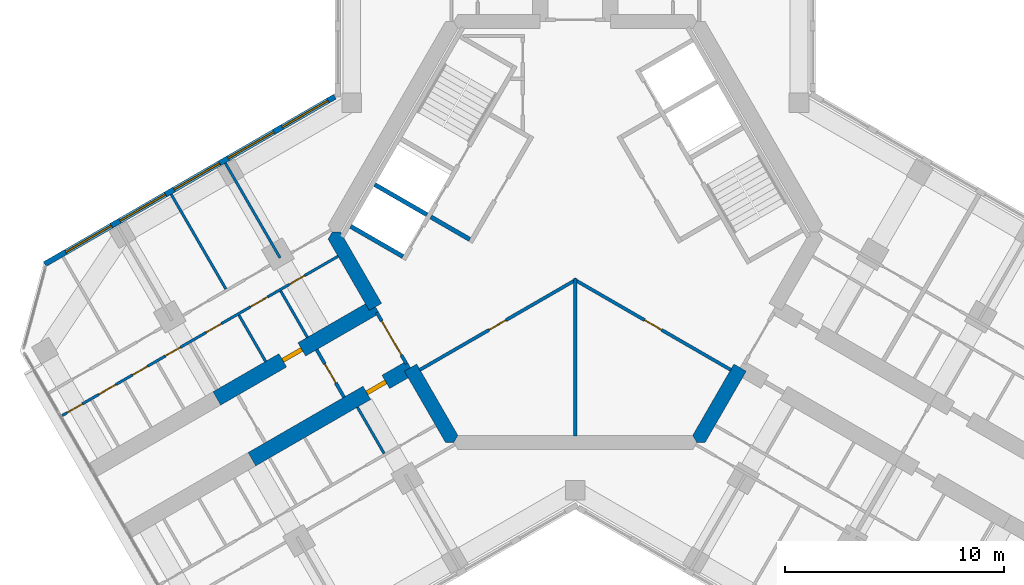
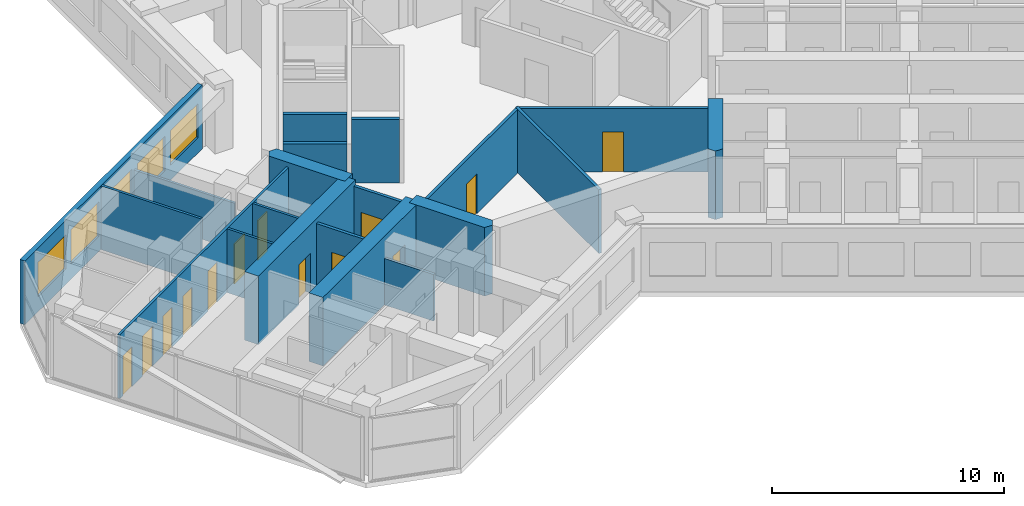
# One storey, part 9 of 16: 20 walls, 13 doors, 5 windows, 18 openings.
"""IFC4 building model written with IfcOpenShell, lengths in metres."""

from ifc_helpers import new_model, si_unit, direction, frame, frame_2d, origin, place, context, subcontext, project, spatial, polyline, rectangle, outline, extrude, material, layer, layer_set, type_object, element, fill, save


model = new_model("IFC4")

# Units and contexts
model_context = context("Model", 3, precision=1e-05, world=origin(), true_north=direction((0.0, 1.0)))
body_context = subcontext(model_context, "Body", "Model", "MODEL_VIEW")
ifc_project = project(units=[si_unit("LENGTHUNIT", "METRE"), si_unit("AREAUNIT", "SQUARE_METRE"), si_unit("VOLUMEUNIT", "CUBIC_METRE"), si_unit("PLANEANGLEUNIT", "RADIAN"), si_unit("MASSUNIT", "GRAM", prefix="KILO")], contexts=[model_context])

# Site, building, storey
site_placement = place(None, origin())
site = spatial("IfcSite", under=ifc_project, at=site_placement, CompositionType="ELEMENT")
building_placement = place(site_placement, origin())
building = spatial("IfcBuilding", under=site, at=building_placement, Name="Kosmar Iwan School Tower", CompositionType="ELEMENT")
storey_placement = place(building_placement, frame((0.0, 0.0, 197.39990234375)))
storey = spatial("IfcBuildingStorey", under=building, at=storey_placement, Name="L49", CompositionType="ELEMENT", Elevation=197.39990234375)

# Wall
ifc_material_1 = material(Name="Gypsum board on steel studs, fire-rated", Category="steel")
ifc_layer_1 = layer(ifc_material_1, 0.14990234375)
ifc_layer_set_1 = layer_set([ifc_layer_1], Name="Core room partition 150")
wall_type_1 = type_object("IfcWallType", Name="Core room partition 150", PredefinedType="PARTITIONING", material=ifc_layer_set_1)
wall_1_placement = place(storey_placement, frame((0.0, -9.294921875, 0.0), z_axis=(0.0, 0.0, 1.0), x_axis=(0.0, 1.0, 0.0)))
element("IfcWall", 1, at=wall_1_placement, inside=storey, type_object=wall_type_1, Name="Core room partition L49-CW5", PredefinedType="PARTITIONING", context=body_context, shape_type="SweptSolid", body=[
    extrude(rectangle(XDim=7.176025390625, YDim=0.14990234375, at=frame_2d((3.587890625, 0.0))), origin(), (0.0, 0.0, 1.0), 3.35009765625),
])

# Wall, opening, door
wall_2_placement = place(storey_placement, frame((-0.06494140625, -2.156494140625, 0.0), z_axis=(0.0, 0.0, 1.0), x_axis=(0.866024394272, -0.500001748523, 0.0)))
wall_2 = element("IfcWall", 2, at=wall_2_placement, inside=storey, type_object=wall_type_1, Name="Core room partition L49-CW6", PredefinedType="PARTITIONING", context=body_context, shape_type="SweptSolid", body=[
    extrude(rectangle(XDim=8.27294921875, YDim=0.14990234375, at=frame_2d((4.136474609375, 0.0))), origin(), (0.0, 0.0, 1.0), 3.35009765625),
])
opening_1_placement = place(wall_2_placement, frame((3.721923828125, 0.0, 0.0)))
opening_1 = element("IfcOpeningElement", 3, at=opening_1_placement, cuts=wall_2, Name="Opening D14", PredefinedType="OPENING", context=body_context, shape_type="SweptSolid", body=[
    extrude(rectangle(XDim=0.89990234375, YDim=2.10009765625, at=frame_2d((0.449951171875, 1.050048828125))), frame((0.0, 0.0869140625, 0.0), z_axis=(0.0, -1.0, 0.0), x_axis=(1.0, 0.0, 0.0)), (0.0, 0.0, 1.0), 0.173828125),
])
ifc_material_2 = material(Name="Timber fire door in steel frame", Category="steel")
door_type_1 = type_object("IfcDoorType", Name="Core room door 900x2100", OperationType="SINGLE_SWING_LEFT", PredefinedType="DOOR", material=ifc_material_2)
door_1_placement = place(opening_1_placement, origin())
door_1 = element("IfcDoor", 4, at=door_1_placement, inside=storey, type_object=door_type_1, Name="Refuse and recycling room door L49 3", OperationType="SINGLE_SWING_RIGHT", OverallHeight=2.10009765625, OverallWidth=0.89990234375, PredefinedType="DOOR", context=body_context, shape_type="SweptSolid", body=[
    extrude(rectangle(XDim=0.89990234375, YDim=2.10009765625, at=frame_2d((0.449951171875, 1.050048828125))), frame((0.0, 0.02490234375, 0.0), z_axis=(0.0, -1.0, 0.0), x_axis=(1.0, 0.0, 0.0)), (0.0, 0.0, 1.0), 0.050048828125),
])
fill(opening_1, door_1)

wall_3_placement = place(storey_placement, frame((-7.099609375, -6.29296875, 0.0), z_axis=(0.0, 0.0, 1.0), x_axis=(0.866024394272, 0.500001748523, 0.0)))
wall_3 = element("IfcWall", 5, at=wall_3_placement, inside=storey, type_object=wall_type_1, Name="Core room partition L49-CW7", PredefinedType="PARTITIONING", context=body_context, shape_type="SweptSolid", body=[
    extrude(rectangle(XDim=8.27294921875, YDim=0.14990234375, at=frame_2d((4.136474609375, 0.0))), origin(), (0.0, 0.0, 1.0), 3.35009765625),
])
opening_2_placement = place(wall_3_placement, frame((3.652099609375, 0.0, 0.0)))
opening_2 = element("IfcOpeningElement", 6, at=opening_2_placement, cuts=wall_3, Name="Opening D14", PredefinedType="OPENING", context=body_context, shape_type="SweptSolid", body=[
    extrude(rectangle(XDim=0.89990234375, YDim=2.10009765625, at=frame_2d((0.449951171875, 1.050048828125))), frame((0.0, 0.0869140625, 0.0), z_axis=(0.0, -1.0, 0.0), x_axis=(1.0, 0.0, 0.0)), (0.0, 0.0, 1.0), 0.173828125),
])
door_2_placement = place(opening_2_placement, origin())
door_2 = element("IfcDoor", 7, at=door_2_placement, inside=storey, type_object=door_type_1, Name="Parcel room door L49 4", OperationType="SINGLE_SWING_LEFT", OverallHeight=2.10009765625, OverallWidth=0.89990234375, PredefinedType="DOOR", context=body_context, shape_type="SweptSolid", body=[
    extrude(rectangle(XDim=0.89990234375, YDim=2.10009765625, at=frame_2d((0.449951171875, 1.050048828125))), frame((0.0, 0.02490234375, 0.0), z_axis=(0.0, -1.0, 0.0), x_axis=(1.0, 0.0, 0.0)), (0.0, 0.0, 1.0), 0.050048828125),
])
fill(opening_2, door_2)

# Walls
ifc_material_3 = material(Name="Concrete C50/60", Category="concrete")
ifc_layer_2 = layer(ifc_material_3, 0.64990234375)
ifc_layer_set_2 = layer_set([ifc_layer_2], Name="Core wall 650")
wall_type_2 = type_object("IfcWallType", Name="Core wall 650", PredefinedType="SHEAR", material=ifc_layer_set_2)
wall_4_placement = place(storey_placement, origin())
element("IfcWall", 8, at=wall_4_placement, inside=storey, type_object=wall_type_2, Name="Core wall F210a", PredefinedType="SHEAR", context=body_context, shape_type="SweptSolid", body=[
    extrude(outline(polyline([(-9.395263671875, -3.576904296875), (-8.832275390625, -3.251953125), (-10.7099609375, 0.0), (-11.085205078125, 0.0), (-11.272705078125, -0.324951171875), (-9.395263671875, -3.576904296875)])), origin(), (0.0, 0.0, 1.0), 3.60009765625),
])
wall_5_placement = place(storey_placement, origin())
element("IfcWall", 9, at=wall_5_placement, inside=storey, type_object=wall_type_2, Name="Core wall F210b", PredefinedType="SHEAR", context=body_context, shape_type="SweptSolid", body=[
    extrude(outline(polyline([(-5.917724609375, -9.60009765625), (-5.54248046875, -9.60009765625), (-5.35498046875, -9.27490234375), (-7.232421875, -6.023193359375), (-7.79541015625, -6.34814453125), (-5.917724609375, -9.60009765625)])), origin(), (0.0, 0.0, 1.0), 3.60009765625),
])
wall_6_placement = place(storey_placement, origin())
element("IfcWall", 10, at=wall_6_placement, inside=storey, type_object=wall_type_2, Name="Core wall F330a", PredefinedType="SHEAR", context=body_context, shape_type="SweptSolid", body=[
    extrude(outline(polyline([(5.54248046875, -9.60009765625), (5.917724609375, -9.60009765625), (7.79541015625, -6.34814453125), (7.232421875, -6.023193359375), (5.35498046875, -9.27490234375), (5.54248046875, -9.60009765625)])), origin(), (0.0, 0.0, 1.0), 3.60009765625),
])

# Wall, opening, door
ifc_material_4 = material(Name="Concrete C50/60", Category="concrete")
ifc_layer_3 = layer(ifc_material_4, 0.699951171875)
ifc_layer_set_3 = layer_set([ifc_layer_3], Name="Corridor buttress wall 700")
wall_type_3 = type_object("IfcWallType", Name="Corridor buttress wall 700", PredefinedType="SHEAR", material=ifc_layer_set_3)
wall_7_placement = place(storey_placement, frame((-7.513916015625, -6.185546875, 0.0), z_axis=(0.0, 0.0, 1.0), x_axis=(-0.866019549707, -0.500010139422, 0.0)))
wall_7 = element("IfcWall", 11, at=wall_7_placement, inside=storey, type_object=wall_type_3, Name="Corridor wall BL", PredefinedType="SHEAR", context=body_context, shape_type="SweptSolid", body=[
    extrude(rectangle(XDim=8.349853515625, YDim=0.699951171875, at=frame_2d((4.1748046875, 0.0))), origin(), (0.0, 0.0, 1.0), 3.60009765625),
])
opening_3_placement = place(wall_7_placement, frame((1.300048828125, 0.0, 0.0)))
opening_3 = element("IfcOpeningElement", 12, at=opening_3_placement, cuts=wall_7, Name="Opening D1", PredefinedType="OPENING", context=body_context, shape_type="SweptSolid", body=[
    extrude(rectangle(XDim=1.0, YDim=2.10009765625, at=frame_2d((0.5, 1.050048828125))), frame((0.0, 0.362060546875, 0.0), z_axis=(0.0, -1.0, 0.0), x_axis=(1.0, 0.0, 0.0)), (0.0, 0.0, 1.0), 0.723876953125),
])
ifc_material_5 = material(Name="Timber fire door in steel frame", Category="steel")
door_type_2 = type_object("IfcDoorType", Name="Flat entrance door 1000x2100", OperationType="SINGLE_SWING_LEFT", PredefinedType="DOOR", material=ifc_material_5)
door_3_placement = place(opening_3_placement, origin())
door_3 = element("IfcDoor", 13, at=door_3_placement, inside=storey, type_object=door_type_2, Name="Flat L49-BL1 entrance door", OperationType="SINGLE_SWING_RIGHT", OverallHeight=2.10009765625, OverallWidth=1.0, PredefinedType="DOOR", context=body_context, shape_type="SweptSolid", body=[
    extrude(rectangle(XDim=1.0, YDim=2.10009765625, at=frame_2d((0.5, 1.050048828125))), frame((0.0, 0.10009765625, 0.0), z_axis=(0.0, -1.0, 0.0), x_axis=(1.0, 0.0, 0.0)), (0.0, 0.0, 1.0), 0.199951171875),
])
fill(opening_3, door_3)

wall_8_placement = place(storey_placement, frame((-9.11376953125, -3.414306640625, 0.0), z_axis=(0.0, 0.0, 1.0), x_axis=(-0.866026859388, -0.499997478812, 0.0)))
wall_8 = element("IfcWall", 14, at=wall_8_placement, inside=storey, type_object=wall_type_3, Name="Corridor wall BR", PredefinedType="SHEAR", context=body_context, shape_type="SweptSolid", body=[
    extrude(rectangle(XDim=8.35009765625, YDim=0.699951171875, at=frame_2d((4.175048828125, 0.0))), origin(), (0.0, 0.0, 1.0), 3.60009765625),
])
opening_4_placement = place(wall_8_placement, frame((3.8798828125, 0.0, 0.0)))
opening_4 = element("IfcOpeningElement", 15, at=opening_4_placement, cuts=wall_8, Name="Opening D1", PredefinedType="OPENING", context=body_context, shape_type="SweptSolid", body=[
    extrude(rectangle(XDim=1.0, YDim=2.10009765625, at=frame_2d((0.5, 1.050048828125))), frame((0.0, 0.362060546875, 0.0), z_axis=(0.0, -1.0, 0.0), x_axis=(1.0, 0.0, 0.0)), (0.0, 0.0, 1.0), 0.723876953125),
])
door_4_placement = place(opening_4_placement, origin())
door_4 = element("IfcDoor", 16, at=door_4_placement, inside=storey, type_object=door_type_2, Name="Flat L49-BR1 entrance door", OperationType="SINGLE_SWING_LEFT", OverallHeight=2.10009765625, OverallWidth=1.0, PredefinedType="DOOR", context=body_context, shape_type="SweptSolid", body=[
    extrude(rectangle(XDim=1.0, YDim=2.10009765625, at=frame_2d((0.5, 1.050048828125))), frame((0.0, 0.10009765625, 0.0), z_axis=(0.0, -1.0, 0.0), x_axis=(1.0, 0.0, 0.0)), (0.0, 0.0, 1.0), 0.199951171875),
])
fill(opening_4, door_4)

ifc_material_6 = material(Name="Gypsum board on steel studs, fire-rated", Category="steel")
ifc_layer_4 = layer(ifc_material_6, 0.14990234375)
ifc_layer_set_4 = layer_set([ifc_layer_4], Name="Corridor end wall 150")
wall_type_4 = type_object("IfcWallType", Name="Corridor end wall 150", PredefinedType="PARTITIONING", material=ifc_layer_set_4)
wall_9_placement = place(storey_placement, frame((-11.796630859375, -5.367431640625, 0.0), z_axis=(0.0, 0.0, 1.0), x_axis=(0.500004234368, -0.866022959057, 0.0)))
wall_9 = element("IfcWall", 17, at=wall_9_placement, inside=storey, type_object=wall_type_4, Name="Partition L49-B-HW", PredefinedType="PARTITIONING", context=body_context, shape_type="SweptSolid", body=[
    extrude(rectangle(XDim=2.5, YDim=0.14990234375, at=frame_2d((1.25, 0.0))), origin(), (0.0, 0.0, 1.0), 3.35009765625),
])
opening_5_placement = place(wall_9_placement, frame((0.75, 0.0, 0.0)))
opening_5 = element("IfcOpeningElement", 18, at=opening_5_placement, cuts=wall_9, Name="Opening D13", PredefinedType="OPENING", context=body_context, shape_type="SweptSolid", body=[
    extrude(rectangle(XDim=1.0, YDim=2.10009765625, at=frame_2d((0.5, 1.050048828125))), frame((0.0, 0.0869140625, 0.0), z_axis=(0.0, -1.0, 0.0), x_axis=(1.0, 0.0, 0.0)), (0.0, 0.0, 1.0), 0.173828125),
])
ifc_material_7 = material(Name="Timber fire door with vision panel", Category="wood")
door_type_3 = type_object("IfcDoorType", Name="Corridor end door 1000x2100", OperationType="SINGLE_SWING_LEFT", PredefinedType="DOOR", material=ifc_material_7)
door_5_placement = place(opening_5_placement, origin())
door_5 = element("IfcDoor", 19, at=door_5_placement, inside=storey, type_object=door_type_3, Name="Entrance door L49-B", OperationType="SINGLE_SWING_RIGHT", OverallHeight=2.10009765625, OverallWidth=1.0, PredefinedType="DOOR", context=body_context, shape_type="SweptSolid", body=[
    extrude(rectangle(XDim=1.0, YDim=2.10009765625, at=frame_2d((0.5, 1.050048828125))), frame((0.0, 0.02490234375, 0.0), z_axis=(0.0, -1.0, 0.0), x_axis=(1.0, 0.0, 0.0)), (0.0, 0.0, 1.0), 0.050048828125),
])
fill(opening_5, door_5)

ifc_material_8 = material(Name="Steel framed glazed screen", Category="steel")
ifc_layer_5 = layer(ifc_material_8, 0.14990234375)
ifc_layer_set_5 = layer_set([ifc_layer_5], Name="Corridor screen wall 150")
wall_type_5 = type_object("IfcWallType", Name="Corridor screen wall 150", PredefinedType="PARTITIONING", material=ifc_layer_set_5)
wall_10_placement = place(storey_placement, frame((-9.0537109375, -3.66845703125, 0.0), z_axis=(0.0, 0.0, 1.0), x_axis=(0.499980770555, -0.866036505625, 0.0)))
wall_10 = element("IfcWall", 20, at=wall_10_placement, inside=storey, type_object=wall_type_5, Name="Corridor screen B L49", PredefinedType="PARTITIONING", context=body_context, shape_type="SweptSolid", body=[
    extrude(rectangle(XDim=2.69970703125, YDim=0.14990234375, at=frame_2d((1.349853515625, 0.0))), origin(), (0.0, 0.0, 1.0), 3.35009765625),
])
opening_6_placement = place(wall_10_placement, frame((0.449951171875, 0.0, 0.0)))
opening_6 = element("IfcOpeningElement", 21, at=opening_6_placement, cuts=wall_10, Name="Opening D9", PredefinedType="OPENING", context=body_context, shape_type="SweptSolid", body=[
    extrude(rectangle(XDim=1.800048828125, YDim=2.10009765625, at=frame_2d((0.89990234375, 1.050048828125))), frame((0.0, 0.0869140625, 0.0), z_axis=(0.0, -1.0, 0.0), x_axis=(1.0, 0.0, 0.0)), (0.0, 0.0, 1.0), 0.173828125),
])
ifc_material_9 = material(Name="Steel framed glazed smoke door", Category="steel")
door_type_4 = type_object("IfcDoorType", Name="Corridor smoke door pair 1800x2100", OperationType="DOUBLE_DOOR_DOUBLE_SWING", PredefinedType="DOOR", material=ifc_material_9)
door_6_placement = place(opening_6_placement, origin())
door_6 = element("IfcDoor", 22, at=door_6_placement, inside=storey, type_object=door_type_4, Name="Corridor doors B L49", OperationType="DOUBLE_DOOR_DOUBLE_SWING", OverallHeight=2.10009765625, OverallWidth=1.800048828125, PredefinedType="DOOR", context=body_context, shape_type="SweptSolid", body=[
    extrude(rectangle(XDim=1.800048828125, YDim=2.10009765625, at=frame_2d((0.89990234375, 1.050048828125))), frame((0.0, 0.02490234375, 0.0), z_axis=(0.0, -1.0, 0.0), x_axis=(1.0, 0.0, 0.0)), (0.0, 0.0, 1.0), 0.050048828125),
])
fill(opening_6, door_6)

# Wall
ifc_material_10 = material(Name="Gypsum board on steel studs", Category="steel")
ifc_layer_6 = layer(ifc_material_10, 0.1201171875)
ifc_layer_set_6 = layer_set([ifc_layer_6], Name="Dwelling partition 120")
wall_type_6 = type_object("IfcWallType", Name="Dwelling partition 120", PredefinedType="PARTITIONING", material=ifc_layer_set_6)
wall_11_placement = place(storey_placement, frame((-9.93701171875, -7.98876953125, 0.0), z_axis=(0.0, 0.0, 1.0), x_axis=(0.500077547548, -0.865980627057, 0.0)))
element("IfcWall", 23, at=wall_11_placement, inside=storey, type_object=wall_type_6, Name="Partition L49-BL1-Y1", PredefinedType="PARTITIONING", context=body_context, shape_type="SweptSolid", body=[
    extrude(rectangle(XDim=2.43994140625, YDim=0.1201171875, at=frame_2d((1.219970703125, 0.0))), origin(), (0.0, 0.0, 1.0), 2.4501953125),
])

# Wall, openings, doors
wall_12_placement = place(storey_placement, frame((-10.8203125, -1.108642578125, 0.0), z_axis=(0.0, 0.0, 1.0), x_axis=(-0.866025425371, -0.499999962611, 0.0)))
wall_12 = element("IfcWall", 24, at=wall_12_placement, inside=storey, type_object=wall_type_6, Name="Partition L49-BR1-W1", PredefinedType="PARTITIONING", context=body_context, shape_type="SweptSolid", body=[
    extrude(rectangle(XDim=14.52001953125, YDim=0.1201171875, at=frame_2d((7.260009765625, 0.0))), origin(), (0.0, 0.0, 1.0), 3.35009765625),
])
opening_7_placement = place(wall_12_placement, frame((1.764892578125, 0.0, 0.0)))
opening_7 = element("IfcOpeningElement", 25, at=opening_7_placement, cuts=wall_12, Name="Opening D3", PredefinedType="OPENING", context=body_context, shape_type="SweptSolid", body=[
    extrude(rectangle(XDim=0.800048828125, YDim=2.10009765625, at=frame_2d((0.39990234375, 1.050048828125))), frame((0.0, 0.072021484375, 0.0), z_axis=(0.0, -1.0, 0.0), x_axis=(1.0, 0.0, 0.0)), (0.0, 0.0, 1.0), 0.14404296875),
])
opening_8_placement = place(wall_12_placement, frame((3.705078125, 0.0, 0.0)))
opening_8 = element("IfcOpeningElement", 26, at=opening_8_placement, cuts=wall_12, Name="Opening D2", PredefinedType="OPENING", context=body_context, shape_type="SweptSolid", body=[
    extrude(rectangle(XDim=0.89990234375, YDim=2.10009765625, at=frame_2d((0.449951171875, 1.050048828125))), frame((0.0, 0.072021484375, 0.0), z_axis=(0.0, -1.0, 0.0), x_axis=(1.0, 0.0, 0.0)), (0.0, 0.0, 1.0), 0.14404296875),
])
opening_9_placement = place(wall_12_placement, frame((6.146484375, 0.0, 0.0)))
opening_9 = element("IfcOpeningElement", 27, at=opening_9_placement, cuts=wall_12, Name="Opening D3", PredefinedType="OPENING", context=body_context, shape_type="SweptSolid", body=[
    extrude(rectangle(XDim=0.800048828125, YDim=2.10009765625, at=frame_2d((0.39990234375, 1.050048828125))), frame((0.0, 0.072021484375, 0.0), z_axis=(0.0, -1.0, 0.0), x_axis=(1.0, 0.0, 0.0)), (0.0, 0.0, 1.0), 0.14404296875),
])
opening_10_placement = place(wall_12_placement, frame((8.298583984375, 0.0, 0.0)))
opening_10 = element("IfcOpeningElement", 28, at=opening_10_placement, cuts=wall_12, Name="Opening D3", PredefinedType="OPENING", context=body_context, shape_type="SweptSolid", body=[
    extrude(rectangle(XDim=0.800048828125, YDim=2.10009765625, at=frame_2d((0.39990234375, 1.050048828125))), frame((0.0, 0.072021484375, 0.0), z_axis=(0.0, -1.0, 0.0), x_axis=(1.0, 0.0, 0.0)), (0.0, 0.0, 1.0), 0.14404296875),
])
opening_11_placement = place(wall_12_placement, frame((10.0205078125, 0.0, 0.0)))
opening_11 = element("IfcOpeningElement", 29, at=opening_11_placement, cuts=wall_12, Name="Opening D3", PredefinedType="OPENING", context=body_context, shape_type="SweptSolid", body=[
    extrude(rectangle(XDim=0.800048828125, YDim=2.10009765625, at=frame_2d((0.39990234375, 1.050048828125))), frame((0.0, 0.072021484375, 0.0), z_axis=(0.0, -1.0, 0.0), x_axis=(1.0, 0.0, 0.0)), (0.0, 0.0, 1.0), 0.14404296875),
])
opening_12_placement = place(wall_12_placement, frame((11.6923828125, 0.0, 0.0)))
opening_12 = element("IfcOpeningElement", 30, at=opening_12_placement, cuts=wall_12, Name="Opening D2", PredefinedType="OPENING", context=body_context, shape_type="SweptSolid", body=[
    extrude(rectangle(XDim=0.89990234375, YDim=2.10009765625, at=frame_2d((0.449951171875, 1.050048828125))), frame((0.0, 0.072021484375, 0.0), z_axis=(0.0, -1.0, 0.0), x_axis=(1.0, 0.0, 0.0)), (0.0, 0.0, 1.0), 0.14404296875),
])
opening_13_placement = place(wall_12_placement, frame((13.464111328125, 0.0, 0.0)))
opening_13 = element("IfcOpeningElement", 31, at=opening_13_placement, cuts=wall_12, Name="Opening D3", PredefinedType="OPENING", context=body_context, shape_type="SweptSolid", body=[
    extrude(rectangle(XDim=0.800048828125, YDim=2.10009765625, at=frame_2d((0.39990234375, 1.050048828125))), frame((0.0, 0.072021484375, 0.0), z_axis=(0.0, -1.0, 0.0), x_axis=(1.0, 0.0, 0.0)), (0.0, 0.0, 1.0), 0.14404296875),
])
ifc_material_11 = material(Name="Timber door in timber frame", Category="wood")
door_type_5 = type_object("IfcDoorType", Name="Internal door 900x2100", OperationType="SINGLE_SWING_LEFT", PredefinedType="DOOR", material=ifc_material_11)
door_7_placement = place(opening_8_placement, origin())
door_7 = element("IfcDoor", 32, at=door_7_placement, inside=storey, type_object=door_type_5, Name="Entrance hall door L49-BR1-S2", OperationType="SINGLE_SWING_LEFT", OverallHeight=2.10009765625, OverallWidth=0.89990234375, PredefinedType="DOOR", context=body_context, shape_type="SweptSolid", body=[
    extrude(rectangle(XDim=0.89990234375, YDim=2.10009765625, at=frame_2d((0.449951171875, 1.050048828125))), frame((0.0, 0.02490234375, 0.0), z_axis=(0.0, -1.0, 0.0), x_axis=(1.0, 0.0, 0.0)), (0.0, 0.0, 1.0), 0.050048828125),
])
fill(opening_8, door_7)
door_8_placement = place(opening_12_placement, origin())
door_8 = element("IfcDoor", 33, at=door_8_placement, inside=storey, type_object=door_type_5, Name="Pantry door L49-BR1-S6", OperationType="SINGLE_SWING_LEFT", OverallHeight=2.10009765625, OverallWidth=0.89990234375, PredefinedType="DOOR", context=body_context, shape_type="SweptSolid", body=[
    extrude(rectangle(XDim=0.89990234375, YDim=2.10009765625, at=frame_2d((0.449951171875, 1.050048828125))), frame((0.0, 0.02490234375, 0.0), z_axis=(0.0, -1.0, 0.0), x_axis=(1.0, 0.0, 0.0)), (0.0, 0.0, 1.0), 0.050048828125),
])
fill(opening_12, door_8)
ifc_material_12 = material(Name="Timber door in timber frame", Category="wood")
door_type_6 = type_object("IfcDoorType", Name="Sanitary room door 800x2100", OperationType="SINGLE_SWING_LEFT", PredefinedType="DOOR", material=ifc_material_12)
door_9_placement = place(opening_7_placement, origin())
door_9 = element("IfcDoor", 34, at=door_9_placement, inside=storey, type_object=door_type_6, Name="WC door L49-BR1-S1", OperationType="SINGLE_SWING_RIGHT", OverallHeight=2.10009765625, OverallWidth=0.800048828125, PredefinedType="DOOR", context=body_context, shape_type="SweptSolid", body=[
    extrude(rectangle(XDim=0.800048828125, YDim=2.10009765625, at=frame_2d((0.39990234375, 1.050048828125))), frame((0.0, 0.02490234375, 0.0), z_axis=(0.0, -1.0, 0.0), x_axis=(1.0, 0.0, 0.0)), (0.0, 0.0, 1.0), 0.050048828125),
])
fill(opening_7, door_9)
door_10_placement = place(opening_9_placement, origin())
door_10 = element("IfcDoor", 35, at=door_10_placement, inside=storey, type_object=door_type_6, Name="Bathroom door L49-BR1-S3", OperationType="SINGLE_SWING_RIGHT", OverallHeight=2.10009765625, OverallWidth=0.800048828125, PredefinedType="DOOR", context=body_context, shape_type="SweptSolid", body=[
    extrude(rectangle(XDim=0.800048828125, YDim=2.10009765625, at=frame_2d((0.39990234375, 1.050048828125))), frame((0.0, 0.02490234375, 0.0), z_axis=(0.0, -1.0, 0.0), x_axis=(1.0, 0.0, 0.0)), (0.0, 0.0, 1.0), 0.050048828125),
])
fill(opening_9, door_10)
door_11_placement = place(opening_10_placement, origin())
door_11 = element("IfcDoor", 36, at=door_11_placement, inside=storey, type_object=door_type_6, Name="Grandparents' shower room door L49-BR1-S4", OperationType="SINGLE_SWING_LEFT", OverallHeight=2.10009765625, OverallWidth=0.800048828125, PredefinedType="DOOR", context=body_context, shape_type="SweptSolid", body=[
    extrude(rectangle(XDim=0.800048828125, YDim=2.10009765625, at=frame_2d((0.39990234375, 1.050048828125))), frame((0.0, 0.02490234375, 0.0), z_axis=(0.0, -1.0, 0.0), x_axis=(1.0, 0.0, 0.0)), (0.0, 0.0, 1.0), 0.050048828125),
])
fill(opening_10, door_11)
door_12_placement = place(opening_11_placement, origin())
door_12 = element("IfcDoor", 37, at=door_12_placement, inside=storey, type_object=door_type_6, Name="Shower room door L49-BR1-S5", OperationType="SINGLE_SWING_RIGHT", OverallHeight=2.10009765625, OverallWidth=0.800048828125, PredefinedType="DOOR", context=body_context, shape_type="SweptSolid", body=[
    extrude(rectangle(XDim=0.800048828125, YDim=2.10009765625, at=frame_2d((0.39990234375, 1.050048828125))), frame((0.0, 0.02490234375, 0.0), z_axis=(0.0, -1.0, 0.0), x_axis=(1.0, 0.0, 0.0)), (0.0, 0.0, 1.0), 0.050048828125),
])
fill(opening_11, door_12)
door_13_placement = place(opening_13_placement, origin())
door_13 = element("IfcDoor", 38, at=door_13_placement, inside=storey, type_object=door_type_6, Name="Store door L49-BR1-S7", OperationType="SINGLE_SWING_RIGHT", OverallHeight=2.10009765625, OverallWidth=0.800048828125, PredefinedType="DOOR", context=body_context, shape_type="SweptSolid", body=[
    extrude(rectangle(XDim=0.800048828125, YDim=2.10009765625, at=frame_2d((0.39990234375, 1.050048828125))), frame((0.0, 0.02490234375, 0.0), z_axis=(0.0, -1.0, 0.0), x_axis=(1.0, 0.0, 0.0)), (0.0, 0.0, 1.0), 0.050048828125),
])
fill(opening_13, door_13)

# Walls
wall_13_placement = place(storey_placement, frame((-13.4638671875, -1.179931640625, 0.0), z_axis=(0.0, 0.0, 1.0), x_axis=(-0.499975153383, 0.86603974851, 0.0)))
element("IfcWall", 39, at=wall_13_placement, inside=storey, type_object=wall_type_6, Name="Partition L49-BR1-X1", PredefinedType="PARTITIONING", context=body_context, shape_type="SweptSolid", body=[
    extrude(rectangle(XDim=4.989990234375, YDim=0.1201171875, at=frame_2d((2.4951171875, 0.0))), origin(), (0.0, 0.0, 1.0), 2.4501953125),
])
wall_14_placement = place(storey_placement, frame((-15.931884765625, -2.60498046875, 0.0), z_axis=(0.0, 0.0, 1.0), x_axis=(-0.500011847778, 0.866018563358, 0.0)))
element("IfcWall", 40, at=wall_14_placement, inside=storey, type_object=wall_type_6, Name="Partition L49-BR1-X2", PredefinedType="PARTITIONING", context=body_context, shape_type="SweptSolid", body=[
    extrude(rectangle(XDim=4.990234375, YDim=0.1201171875, at=frame_2d((2.4951171875, 0.0))), origin(), (0.0, 0.0, 1.0), 3.35009765625),
])
wall_15_placement = place(storey_placement, frame((-12.216064453125, -4.80126953125, 0.0), z_axis=(0.0, 0.0, 1.0), x_axis=(-0.500002508028, 0.866023955769, 0.0)))
element("IfcWall", 41, at=wall_15_placement, inside=storey, type_object=wall_type_6, Name="Partition L49-BR1-Y1", PredefinedType="PARTITIONING", context=body_context, shape_type="SweptSolid", body=[
    extrude(rectangle(XDim=2.43994140625, YDim=0.1201171875, at=frame_2d((1.219970703125, 0.0))), origin(), (0.0, 0.0, 1.0), 3.35009765625),
])
wall_16_placement = place(storey_placement, frame((-14.121337890625, -5.9013671875, 0.0), z_axis=(0.0, 0.0, 1.0), x_axis=(-0.499959183527, 0.866048967903, 0.0)))
element("IfcWall", 42, at=wall_16_placement, inside=storey, type_object=wall_type_6, Name="Partition L49-BR1-Y2", PredefinedType="PARTITIONING", context=body_context, shape_type="SweptSolid", body=[
    extrude(rectangle(XDim=2.440185546875, YDim=0.1201171875, at=frame_2d((1.22021484375, 0.0))), origin(), (0.0, 0.0, 1.0), 3.35009765625),
])

# Wall, openings, windows
ifc_material_13 = material(Name="Black aluminium rainscreen on insulated framing", Category="aluminium")
ifc_layer_7 = layer(ifc_material_13, 0.25)
ifc_layer_set_7 = layer_set([ifc_layer_7], Name="External wall rainscreen 250")
wall_type_7 = type_object("IfcWallType", Name="External wall rainscreen 250", PredefinedType="SOLIDWALL", material=ifc_layer_set_7)
wall_17_placement = place(storey_placement, frame((-10.962890625, 6.170166015625, 0.0), z_axis=(0.0, 0.0, 1.0), x_axis=(-0.866025637253, -0.499999595621, 0.0)))
wall_17 = element("IfcWall", 43, at=wall_17_placement, inside=storey, type_object=wall_type_7, Name="External wall BR L49", PredefinedType="SOLIDWALL", context=body_context, shape_type="SweptSolid", body=[
    extrude(rectangle(XDim=15.2763671875, YDim=0.25, at=frame_2d((7.63818359375, 0.0))), origin(), (0.0, 0.0, 1.0), 3.35009765625),
])
opening_14_placement = place(wall_17_placement, frame((0.365966796875, 0.0, 0.800048828125)))
opening_14 = element("IfcOpeningElement", 44, at=opening_14_placement, cuts=wall_17, Name="Opening W5", PredefinedType="OPENING", context=body_context, shape_type="SweptSolid", body=[
    extrude(rectangle(XDim=2.39990234375, YDim=1.800048828125, at=frame_2d((1.199951171875, 0.89990234375))), frame((0.0, 0.136962890625, 0.0), z_axis=(0.0, -1.0, 0.0), x_axis=(1.0, 0.0, 0.0)), (0.0, 0.0, 1.0), 0.27392578125),
])
opening_15_placement = place(wall_17_placement, frame((3.216064453125, 0.0, 0.800048828125)))
opening_15 = element("IfcOpeningElement", 45, at=opening_15_placement, cuts=wall_17, Name="Opening W5", PredefinedType="OPENING", context=body_context, shape_type="SweptSolid", body=[
    extrude(rectangle(XDim=2.39990234375, YDim=1.800048828125, at=frame_2d((1.199951171875, 0.89990234375))), frame((0.0, 0.136962890625, 0.0), z_axis=(0.0, -1.0, 0.0), x_axis=(1.0, 0.0, 0.0)), (0.0, 0.0, 1.0), 0.27392578125),
])
opening_16_placement = place(wall_17_placement, frame((6.06591796875, 0.0, 0.800048828125)))
opening_16 = element("IfcOpeningElement", 46, at=opening_16_placement, cuts=wall_17, Name="Opening W5", PredefinedType="OPENING", context=body_context, shape_type="SweptSolid", body=[
    extrude(rectangle(XDim=2.39990234375, YDim=1.800048828125, at=frame_2d((1.199951171875, 0.89990234375))), frame((0.0, 0.136962890625, 0.0), z_axis=(0.0, -1.0, 0.0), x_axis=(1.0, 0.0, 0.0)), (0.0, 0.0, 1.0), 0.27392578125),
])
opening_17_placement = place(wall_17_placement, frame((8.916015625, 0.0, 0.800048828125)))
opening_17 = element("IfcOpeningElement", 47, at=opening_17_placement, cuts=wall_17, Name="Opening W5", PredefinedType="OPENING", context=body_context, shape_type="SweptSolid", body=[
    extrude(rectangle(XDim=2.39990234375, YDim=1.800048828125, at=frame_2d((1.199951171875, 0.89990234375))), frame((0.0, 0.136962890625, 0.0), z_axis=(0.0, -1.0, 0.0), x_axis=(1.0, 0.0, 0.0)), (0.0, 0.0, 1.0), 0.27392578125),
])
opening_18_placement = place(wall_17_placement, frame((11.76611328125, 0.0, 0.800048828125)))
opening_18 = element("IfcOpeningElement", 48, at=opening_18_placement, cuts=wall_17, Name="Opening W5", PredefinedType="OPENING", context=body_context, shape_type="SweptSolid", body=[
    extrude(rectangle(XDim=2.39990234375, YDim=1.800048828125, at=frame_2d((1.199951171875, 0.89990234375))), frame((0.0, 0.136962890625, 0.0), z_axis=(0.0, -1.0, 0.0), x_axis=(1.0, 0.0, 0.0)), (0.0, 0.0, 1.0), 0.27392578125),
])
ifc_material_14 = material(Name="Black aluminium frame with dark triple glazing", Category="aluminium")
window_type = type_object("IfcWindowType", Name="Window 2400x1800", PartitioningType="SINGLE_PANEL", PredefinedType="WINDOW", material=ifc_material_14)
window_1_placement = place(opening_14_placement, origin())
window_1 = element("IfcWindow", 49, at=window_1_placement, inside=storey, type_object=window_type, Name="Window BR L49 -1", OverallHeight=1.800048828125, OverallWidth=2.39990234375, PartitioningType="SINGLE_PANEL", PredefinedType="WINDOW", context=body_context, shape_type="SweptSolid", body=[
    extrude(rectangle(XDim=2.39990234375, YDim=1.800048828125, at=frame_2d((1.199951171875, 0.89990234375))), frame((0.0, 0.030029296875, 0.0), z_axis=(0.0, -1.0, 0.0), x_axis=(1.0, 0.0, 0.0)), (0.0, 0.0, 1.0), 0.06005859375),
])
fill(opening_14, window_1)
window_2_placement = place(opening_15_placement, origin())
window_2 = element("IfcWindow", 50, at=window_2_placement, inside=storey, type_object=window_type, Name="Window BR L49 0", OverallHeight=1.800048828125, OverallWidth=2.39990234375, PartitioningType="SINGLE_PANEL", PredefinedType="WINDOW", context=body_context, shape_type="SweptSolid", body=[
    extrude(rectangle(XDim=2.39990234375, YDim=1.800048828125, at=frame_2d((1.199951171875, 0.89990234375))), frame((0.0, 0.030029296875, 0.0), z_axis=(0.0, -1.0, 0.0), x_axis=(1.0, 0.0, 0.0)), (0.0, 0.0, 1.0), 0.06005859375),
])
fill(opening_15, window_2)
window_3_placement = place(opening_16_placement, origin())
window_3 = element("IfcWindow", 51, at=window_3_placement, inside=storey, type_object=window_type, Name="Window BR L49 1", OverallHeight=1.800048828125, OverallWidth=2.39990234375, PartitioningType="SINGLE_PANEL", PredefinedType="WINDOW", context=body_context, shape_type="SweptSolid", body=[
    extrude(rectangle(XDim=2.39990234375, YDim=1.800048828125, at=frame_2d((1.199951171875, 0.89990234375))), frame((0.0, 0.030029296875, 0.0), z_axis=(0.0, -1.0, 0.0), x_axis=(1.0, 0.0, 0.0)), (0.0, 0.0, 1.0), 0.06005859375),
])
fill(opening_16, window_3)
window_4_placement = place(opening_17_placement, origin())
window_4 = element("IfcWindow", 52, at=window_4_placement, inside=storey, type_object=window_type, Name="Window BR L49 2", OverallHeight=1.800048828125, OverallWidth=2.39990234375, PartitioningType="SINGLE_PANEL", PredefinedType="WINDOW", context=body_context, shape_type="SweptSolid", body=[
    extrude(rectangle(XDim=2.39990234375, YDim=1.800048828125, at=frame_2d((1.199951171875, 0.89990234375))), frame((0.0, 0.030029296875, 0.0), z_axis=(0.0, -1.0, 0.0), x_axis=(1.0, 0.0, 0.0)), (0.0, 0.0, 1.0), 0.06005859375),
])
fill(opening_17, window_4)
window_5_placement = place(opening_18_placement, origin())
window_5 = element("IfcWindow", 53, at=window_5_placement, inside=storey, type_object=window_type, Name="Window BR L49 3", OverallHeight=1.800048828125, OverallWidth=2.39990234375, PartitioningType="SINGLE_PANEL", PredefinedType="WINDOW", context=body_context, shape_type="SweptSolid", body=[
    extrude(rectangle(XDim=2.39990234375, YDim=1.800048828125, at=frame_2d((1.199951171875, 0.89990234375))), frame((0.0, 0.030029296875, 0.0), z_axis=(0.0, -1.0, 0.0), x_axis=(1.0, 0.0, 0.0)), (0.0, 0.0, 1.0), 0.06005859375),
])
fill(opening_18, window_5)

# Walls
ifc_material_15 = material(Name="Concrete block masonry", Category="masonry")
ifc_layer_8 = layer(ifc_material_15, 0.199951171875)
ifc_layer_set_8 = layer_set([ifc_layer_8], Name="Fire lobby wall 200")
wall_type_8 = type_object("IfcWallType", Name="Fire lobby wall 200", PredefinedType="PARTITIONING", material=ifc_layer_set_8)
wall_18_placement = place(storey_placement, frame((-4.814208984375, -0.33837890625, 0.0), z_axis=(0.0, 0.0, 1.0), x_axis=(-0.865969381856, 0.500097020274, 0.0)))
element("IfcWall", 54, at=wall_18_placement, inside=storey, type_object=wall_type_8, Name="Firefighting lobby wall ST2", PredefinedType="PARTITIONING", context=body_context, shape_type="SweptSolid", body=[
    extrude(rectangle(XDim=2.0498046875, YDim=0.199951171875, at=frame_2d((1.02490234375, 0.0))), origin(), (0.0, 0.0, 1.0), 3.35009765625),
])
ifc_material_16 = material(Name="Concrete C50/60", Category="concrete")
ifc_layer_9 = layer(ifc_material_16, 0.199951171875)
ifc_layer_set_9 = layer_set([ifc_layer_9], Name="Lift shaft wall 200")
wall_type_9 = type_object("IfcWallType", Name="Lift shaft wall 200", PredefinedType="SHEAR", material=ifc_layer_set_9)
for number, where, z_axis, x_axis, name in (
    (55, (-6.7626953125, 0.78662109375, 0.0), (0.0, 0.0, 1.0), (-0.866027397988, 0.499996545922, 0.0), "Lift shaft wall AB 1"),
    (56, (-7.862548828125, -1.118408203125, 0.0), (0.0, 0.0, 1.0), (-0.866027397988, 0.499996545922, 0.0), "Lift shaft wall AB 2"),
):
    element("IfcWall", number, at=place(storey_placement, frame(where, z_axis=z_axis, x_axis=x_axis)), inside=storey, type_object=wall_type_9, Name=name, PredefinedType="SHEAR", context=body_context, shape_type="SweptSolid", body=[
        extrude(rectangle(XDim=2.75, YDim=0.199951171875, at=frame_2d((1.375, 0.0))), origin(), (0.0, 0.0, 1.0), 3.60009765625),
    ])

save(model, "model.ifc")
